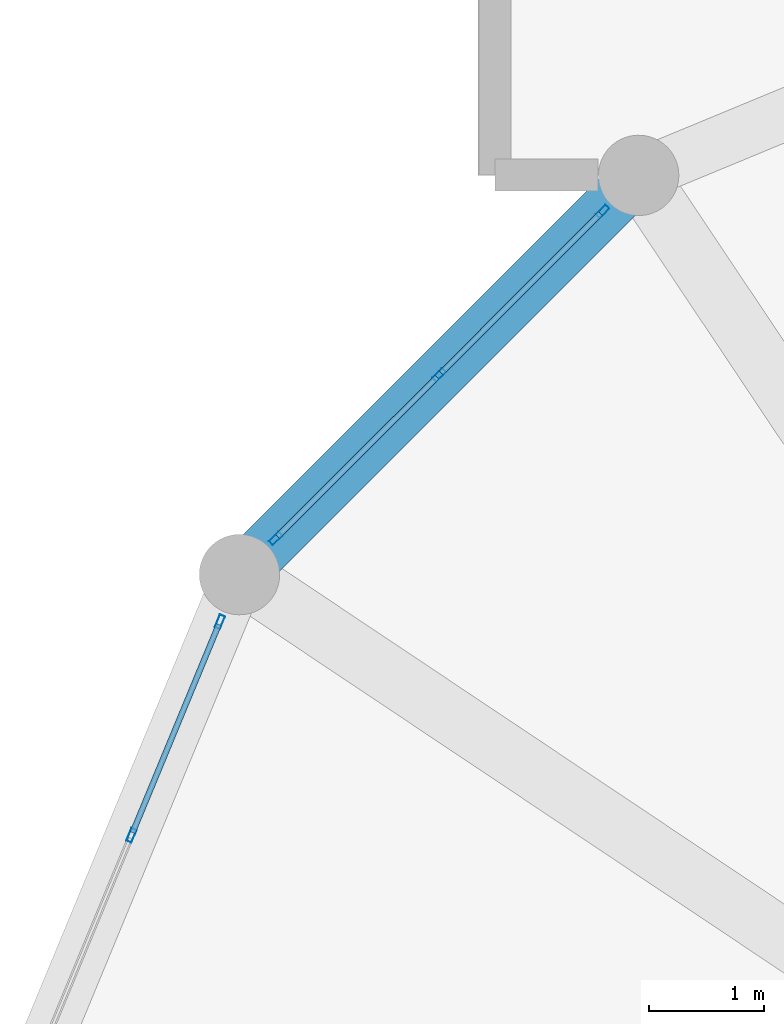
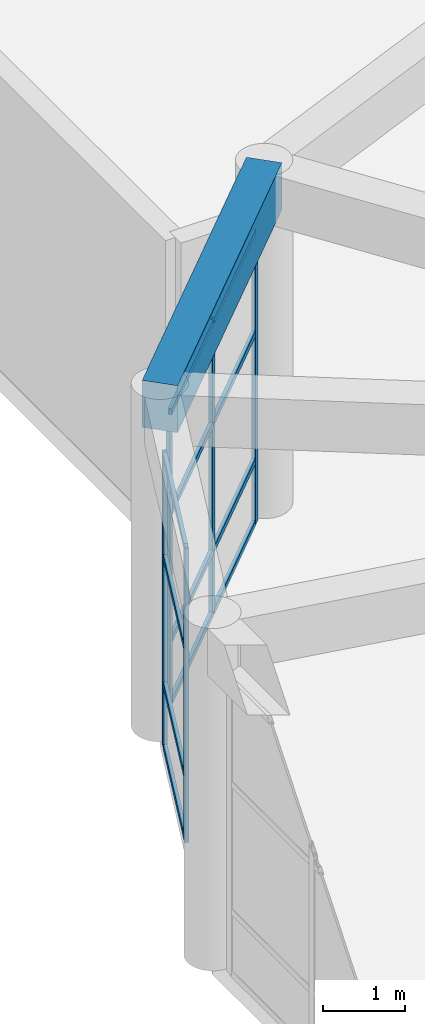
# One storey, part 13 of 96: 17 members, 1 beam, 2 elements without a shape of their own.
"""IFC4 building model written with IfcOpenShell, lengths in metres."""

from ifc_helpers import new_model, si_unit, direction, frame, origin, origin_2d, place, context, subcontext, project, spatial, rectangle, hollow_rectangle, extrude, material, material_profile, profile_set, type_object, element, aggregate, save


model = new_model("IFC4")

# Units and contexts
model_context = context("Model", 3, precision=1e-05, world=origin(), true_north=direction((0.0, 1.0)))
body_context = subcontext(model_context, "Body", "Model", "MODEL_VIEW")
ifc_project = project(units=[si_unit("LENGTHUNIT", "METRE"), si_unit("AREAUNIT", "SQUARE_METRE"), si_unit("VOLUMEUNIT", "CUBIC_METRE"), si_unit("PLANEANGLEUNIT", "RADIAN"), si_unit("MASSUNIT", "GRAM", prefix="KILO")], contexts=[model_context])

# Site, building, storey
site_placement = place(None, origin())
site = spatial("IfcSite", under=ifc_project, at=site_placement, CompositionType="ELEMENT")
building_placement = place(site_placement, origin())
building = spatial("IfcBuilding", under=site, at=building_placement, Name="Almacenes y Pasaje Nevantli", CompositionType="ELEMENT")
storey_placement = place(building_placement, frame((0.0, 0.0, 6.0)))
storey = spatial("IfcBuildingStorey", under=building, at=storey_placement, Name="L02", CompositionType="ELEMENT", Elevation=6.0)

# Beam
ifc_material_1 = material(Name="Concrete C35/45", Category="concrete")
ifc_material_profile_1 = material_profile(ifc_material_1, rectangle(XDim=0.449951171875, YDim=0.699951171875, at=origin_2d()), Name="RC-BM-450x700")
ifc_profile_set_1 = profile_set([ifc_material_profile_1], Name="Concrete C35/45")
beam_type = type_object("IfcBeamType", Name="BM-RC-450x700", PredefinedType="SPANDREL", material=ifc_profile_set_1)
beam_placement = place(storey_placement, frame((1.39990234375, 18.87646484375, 4.75), z_axis=(-0.707106781187, -0.707106781187, 0.0), x_axis=(0.707106781187, -0.707106781187, 0.0)))
element("IfcBeam", 1, at=beam_placement, inside=storey, type_object=beam_type, Name="L02 Rotunda Ring Spandrel Beam #6", PredefinedType="SPANDREL", context=body_context, shape_type="SweptSolid", body=[
    extrude(rectangle(XDim=0.449951171875, YDim=0.699951171875, at=origin_2d()), origin(), (0.0, 0.0, 1.0), 4.916259765625),
])

# Curtain wall, members
ifc_material_2 = material(Name="Thermally Broken Aluminium and Low-E Glass", Category="aluminium")
curtain_wall_type = type_object("IfcCurtainWallType", Name="CW-UNIT-ROTUNDA", PredefinedType="USERDEFINED", material=ifc_material_2)
curtain_wall_1_placement = place(storey_placement, origin())
curtain_wall_1 = element("IfcCurtainWall", 2, at=curtain_wall_1_placement, inside=storey, type_object=curtain_wall_type, Name="L02 Corner Rotunda Faceted Curtain Wall Facet #6", ObjectType="UNITIZED CURTAIN WALL", PredefinedType="USERDEFINED")
ifc_material_3 = material(Name="Thermally Broken Anodized Aluminium", Category="aluminium")
ifc_material_profile_2 = material_profile(ifc_material_3, hollow_rectangle(XDim=0.050048828125, YDim=0.1201171875, WallThickness=0.003173828125, at=origin_2d()), Name="ALU-MUL-50x120")
ifc_profile_set_2 = profile_set([ifc_material_profile_2], Name="Thermally Broken Anodized Aluminium")
member_type_1 = type_object("IfcMemberType", Name="CW-MUL-140", PredefinedType="MULLION", material=ifc_profile_set_2)
member_1_placement = place(storey_placement, frame((1.085205078125, 18.561767578125, 0.0), z_axis=(0.0, 0.0, 1.0), x_axis=(0.707106781187, -0.707106781187, 0.0)))
member_1 = element("IfcMember", 3, at=member_1_placement, type_object=member_type_1, Name="CW-L02-025 mullion 1", PredefinedType="MULLION", context=body_context, shape_type="SweptSolid", body=[
    extrude(hollow_rectangle(XDim=0.050048828125, YDim=0.1201171875, WallThickness=0.003173828125, at=origin_2d()), origin(), (0.0, 0.0, 1.0), 4.3798828125),
])
member_2_placement = place(storey_placement, frame((-0.33837890625, 17.138427734375, 0.0), z_axis=(0.0, 0.0, 1.0), x_axis=(0.707106781187, -0.707106781187, 0.0)))
member_2 = element("IfcMember", 4, at=member_2_placement, type_object=member_type_1, Name="CW-L02-025 mullion 2", PredefinedType="MULLION", context=body_context, shape_type="SweptSolid", body=[
    extrude(hollow_rectangle(XDim=0.050048828125, YDim=0.1201171875, WallThickness=0.003173828125, at=origin_2d()), origin(), (0.0, 0.0, 1.0), 4.3798828125),
])
member_3_placement = place(storey_placement, frame((-1.76171875, 15.71484375, 0.0), z_axis=(0.0, 0.0, 1.0), x_axis=(0.707106781187, -0.707106781187, 0.0)))
member_3 = element("IfcMember", 5, at=member_3_placement, type_object=member_type_1, Name="CW-L02-025 mullion 3", PredefinedType="MULLION", context=body_context, shape_type="SweptSolid", body=[
    extrude(hollow_rectangle(XDim=0.050048828125, YDim=0.1201171875, WallThickness=0.003173828125, at=origin_2d()), origin(), (0.0, 0.0, 1.0), 4.3798828125),
])

curtain_wall_2_placement = place(storey_placement, origin())
curtain_wall_2 = element("IfcCurtainWall", 6, at=curtain_wall_2_placement, inside=storey, type_object=curtain_wall_type, Name="L02 Corner Rotunda Faceted Curtain Wall Facet #7", ObjectType="UNITIZED CURTAIN WALL", PredefinedType="USERDEFINED")
member_4_placement = place(storey_placement, frame((-2.246826171875, 14.989013671875, 0.0), z_axis=(0.0, 0.0, 1.0), x_axis=(0.923873311502, -0.382698450865, 0.0)))
member_4 = element("IfcMember", 7, at=member_4_placement, type_object=member_type_1, Name="CW-L02-026 mullion 1", PredefinedType="MULLION", context=body_context, shape_type="SweptSolid", body=[
    extrude(hollow_rectangle(XDim=0.050048828125, YDim=0.1201171875, WallThickness=0.003173828125, at=origin_2d()), origin(), (0.0, 0.0, 1.0), 4.3798828125),
])
member_5_placement = place(storey_placement, frame((-3.01708984375, 13.129150390625, 0.0), z_axis=(0.0, 0.0, 1.0), x_axis=(0.923873311502, -0.382698450865, 0.0)))
member_5 = element("IfcMember", 8, at=member_5_placement, type_object=member_type_1, Name="CW-L02-026 mullion 2", PredefinedType="MULLION", context=body_context, shape_type="SweptSolid", body=[
    extrude(hollow_rectangle(XDim=0.050048828125, YDim=0.1201171875, WallThickness=0.003173828125, at=origin_2d()), origin(), (0.0, 0.0, 1.0), 4.3798828125),
])

# Member
ifc_material_4 = material(Name="Thermally Broken Anodized Aluminium", Category="aluminium")
ifc_material_profile_3 = material_profile(ifc_material_4, hollow_rectangle(XDim=0.050048828125, YDim=0.090087890625, WallThickness=0.0029296875, at=origin_2d()), Name="ALU-TRN-50x90")
ifc_profile_set_3 = profile_set([ifc_material_profile_3], Name="Thermally Broken Anodized Aluminium")
member_type_2 = type_object("IfcMemberType", Name="CW-TRN-100", PredefinedType="USERDEFINED", material=ifc_profile_set_3)
member_6_placement = place(storey_placement, frame((1.0673828125, 18.544189453125, 0.02490234375), z_axis=(-0.707044593352, -0.707168963553, 0.0), x_axis=(0.707168963553, -0.707044593352, 0.0)))
member_6 = element("IfcMember", 9, at=member_6_placement, type_object=member_type_2, Name="CW-L02-025 transom 1.1", ObjectType="TRANSOM", PredefinedType="USERDEFINED", context=body_context, shape_type="SweptSolid", body=[
    extrude(hollow_rectangle(XDim=0.050048828125, YDim=0.090087890625, WallThickness=0.0029296875, at=origin_2d()), origin(), (0.0, 0.0, 1.0), 1.963134765625),
])

member_7_placement = place(storey_placement, frame((1.0673828125, 18.544189453125, 0.949951171875), z_axis=(-0.707044593352, -0.707168963553, 0.0), x_axis=(0.707168963553, -0.707044593352, 0.0)))
member_7 = element("IfcMember", 10, at=member_7_placement, type_object=member_type_2, Name="CW-L02-025 transom 1.2", ObjectType="TRANSOM", PredefinedType="USERDEFINED", context=body_context, shape_type="SweptSolid", body=[
    extrude(hollow_rectangle(XDim=0.050048828125, YDim=0.090087890625, WallThickness=0.0029296875, at=origin_2d()), origin(), (0.0, 0.0, 1.0), 1.963134765625),
])

member_8_placement = place(storey_placement, frame((1.0673828125, 18.544189453125, 2.85009765625), z_axis=(-0.707044593352, -0.707168963553, 0.0), x_axis=(0.707168963553, -0.707044593352, 0.0)))
member_8 = element("IfcMember", 11, at=member_8_placement, type_object=member_type_2, Name="CW-L02-025 transom 1.3", ObjectType="TRANSOM", PredefinedType="USERDEFINED", context=body_context, shape_type="SweptSolid", body=[
    extrude(hollow_rectangle(XDim=0.050048828125, YDim=0.090087890625, WallThickness=0.0029296875, at=origin_2d()), origin(), (0.0, 0.0, 1.0), 1.963134765625),
])

member_9_placement = place(storey_placement, frame((1.0673828125, 18.544189453125, 4.35498046875), z_axis=(-0.707044593352, -0.707168963553, 0.0), x_axis=(0.707168963553, -0.707044593352, 0.0)))
member_9 = element("IfcMember", 12, at=member_9_placement, type_object=member_type_2, Name="CW-L02-025 transom 1.4", ObjectType="TRANSOM", PredefinedType="USERDEFINED", context=body_context, shape_type="SweptSolid", body=[
    extrude(hollow_rectangle(XDim=0.050048828125, YDim=0.090087890625, WallThickness=0.0029296875, at=origin_2d()), origin(), (0.0, 0.0, 1.0), 1.963134765625),
])

member_10_placement = place(storey_placement, frame((-0.35595703125, 17.12060546875, 0.02490234375), z_axis=(-0.707168963553, -0.707044593352, 0.0), x_axis=(0.707044593352, -0.707168963553, 0.0)))
member_10 = element("IfcMember", 13, at=member_10_placement, type_object=member_type_2, Name="CW-L02-025 transom 2.1", ObjectType="TRANSOM", PredefinedType="USERDEFINED", context=body_context, shape_type="SweptSolid", body=[
    extrude(hollow_rectangle(XDim=0.050048828125, YDim=0.090087890625, WallThickness=0.0029296875, at=origin_2d()), origin(), (0.0, 0.0, 1.0), 1.963134765625),
])

member_11_placement = place(storey_placement, frame((-0.35595703125, 17.12060546875, 0.949951171875), z_axis=(-0.707168963553, -0.707044593352, 0.0), x_axis=(0.707044593352, -0.707168963553, 0.0)))
member_11 = element("IfcMember", 14, at=member_11_placement, type_object=member_type_2, Name="CW-L02-025 transom 2.2", ObjectType="TRANSOM", PredefinedType="USERDEFINED", context=body_context, shape_type="SweptSolid", body=[
    extrude(hollow_rectangle(XDim=0.050048828125, YDim=0.090087890625, WallThickness=0.0029296875, at=origin_2d()), origin(), (0.0, 0.0, 1.0), 1.963134765625),
])

member_12_placement = place(storey_placement, frame((-0.35595703125, 17.12060546875, 2.85009765625), z_axis=(-0.707168963553, -0.707044593352, 0.0), x_axis=(0.707044593352, -0.707168963553, 0.0)))
member_12 = element("IfcMember", 15, at=member_12_placement, type_object=member_type_2, Name="CW-L02-025 transom 2.3", ObjectType="TRANSOM", PredefinedType="USERDEFINED", context=body_context, shape_type="SweptSolid", body=[
    extrude(hollow_rectangle(XDim=0.050048828125, YDim=0.090087890625, WallThickness=0.0029296875, at=origin_2d()), origin(), (0.0, 0.0, 1.0), 1.963134765625),
])

member_13_placement = place(storey_placement, frame((-0.35595703125, 17.12060546875, 4.35498046875), z_axis=(-0.707168963553, -0.707044593352, 0.0), x_axis=(0.707044593352, -0.707168963553, 0.0)))
member_13 = element("IfcMember", 16, at=member_13_placement, type_object=member_type_2, Name="CW-L02-025 transom 2.4", ObjectType="TRANSOM", PredefinedType="USERDEFINED", context=body_context, shape_type="SweptSolid", body=[
    extrude(hollow_rectangle(XDim=0.050048828125, YDim=0.090087890625, WallThickness=0.0029296875, at=origin_2d()), origin(), (0.0, 0.0, 1.0), 1.963134765625),
])

aggregate(curtain_wall_1, [member_1, member_2, member_3, member_6, member_7, member_8, member_9, member_10, member_11, member_12, member_13])

member_14_placement = place(storey_placement, frame((-2.25634765625, 14.966064453125, 0.02490234375), z_axis=(-0.382662992588, -0.923887998679, 0.0), x_axis=(0.923887998679, -0.382662992588, 0.0)))
member_14 = element("IfcMember", 17, at=member_14_placement, type_object=member_type_2, Name="CW-L02-026 transom 1.1", ObjectType="TRANSOM", PredefinedType="USERDEFINED", context=body_context, shape_type="SweptSolid", body=[
    extrude(hollow_rectangle(XDim=0.050048828125, YDim=0.090087890625, WallThickness=0.0029296875, at=origin_2d()), origin(), (0.0, 0.0, 1.0), 1.963134765625),
])

member_15_placement = place(storey_placement, frame((-2.25634765625, 14.966064453125, 0.949951171875), z_axis=(-0.382662992588, -0.923887998679, 0.0), x_axis=(0.923887998679, -0.382662992588, 0.0)))
member_15 = element("IfcMember", 18, at=member_15_placement, type_object=member_type_2, Name="CW-L02-026 transom 1.2", ObjectType="TRANSOM", PredefinedType="USERDEFINED", context=body_context, shape_type="SweptSolid", body=[
    extrude(hollow_rectangle(XDim=0.050048828125, YDim=0.090087890625, WallThickness=0.0029296875, at=origin_2d()), origin(), (0.0, 0.0, 1.0), 1.963134765625),
])

member_16_placement = place(storey_placement, frame((-2.25634765625, 14.966064453125, 2.85009765625), z_axis=(-0.382662992588, -0.923887998679, 0.0), x_axis=(0.923887998679, -0.382662992588, 0.0)))
member_16 = element("IfcMember", 19, at=member_16_placement, type_object=member_type_2, Name="CW-L02-026 transom 1.3", ObjectType="TRANSOM", PredefinedType="USERDEFINED", context=body_context, shape_type="SweptSolid", body=[
    extrude(hollow_rectangle(XDim=0.050048828125, YDim=0.090087890625, WallThickness=0.0029296875, at=origin_2d()), origin(), (0.0, 0.0, 1.0), 1.963134765625),
])

member_17_placement = place(storey_placement, frame((-2.25634765625, 14.966064453125, 4.35498046875), z_axis=(-0.382662992588, -0.923887998679, 0.0), x_axis=(0.923887998679, -0.382662992588, 0.0)))
member_17 = element("IfcMember", 20, at=member_17_placement, type_object=member_type_2, Name="CW-L02-026 transom 1.4", ObjectType="TRANSOM", PredefinedType="USERDEFINED", context=body_context, shape_type="SweptSolid", body=[
    extrude(hollow_rectangle(XDim=0.050048828125, YDim=0.090087890625, WallThickness=0.0029296875, at=origin_2d()), origin(), (0.0, 0.0, 1.0), 1.963134765625),
])

aggregate(curtain_wall_2, [member_4, member_5, member_14, member_15, member_16, member_17])

save(model, "model.ifc")
